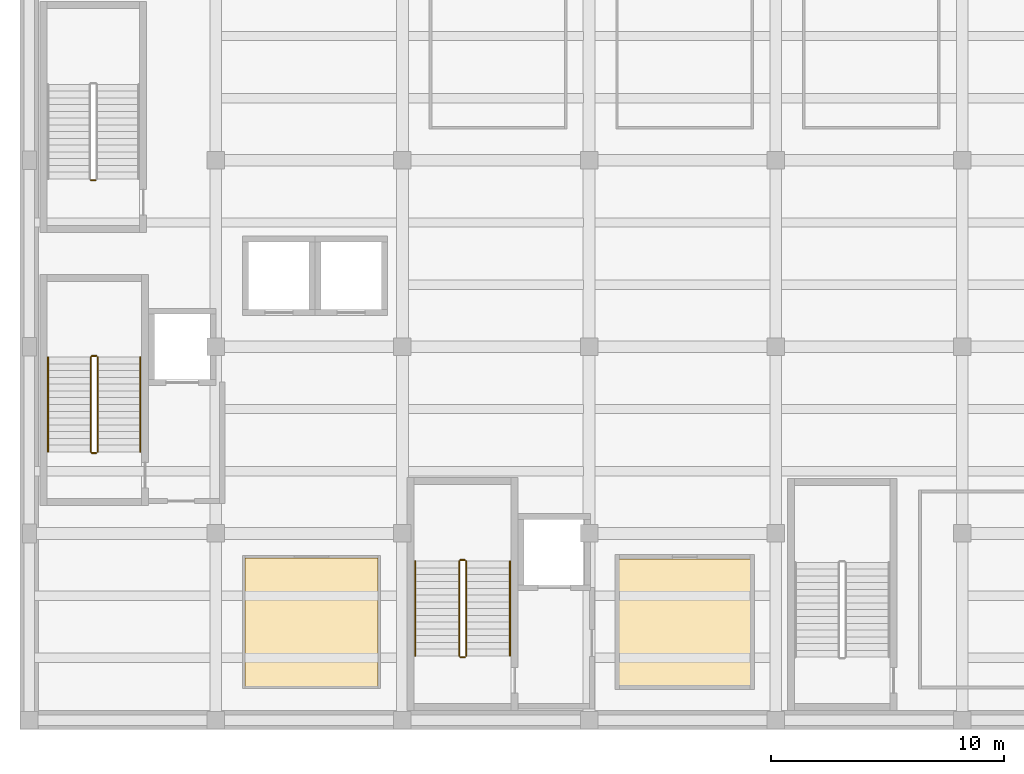
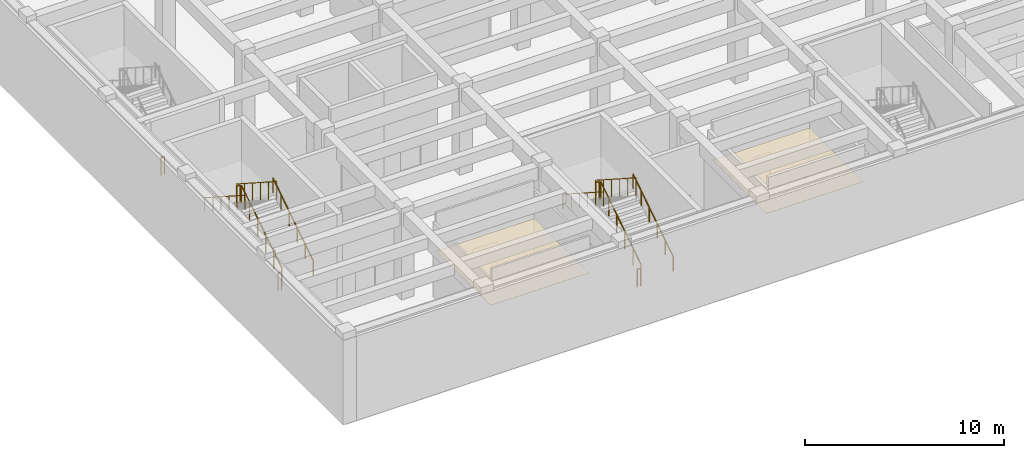
# One storey, part 12 of 19: 13 railings, 2 coverings.
"""IFC4 building model written with IfcOpenShell, lengths in metres."""

from ifc_helpers import new_model, si_unit, direction, frame, origin, origin_2d, place, context, subcontext, project, spatial, polyline, circle, outline, extrude, material, layer, layer_set, type_object, element, save


model = new_model("IFC4")

# Units and contexts
model_context = context("Model", 3, precision=1e-05, world=origin(), true_north=direction((0.0, 1.0)))
body_context = subcontext(model_context, "Body", "Model", "MODEL_VIEW")
ifc_project = project(units=[si_unit("LENGTHUNIT", "METRE"), si_unit("AREAUNIT", "SQUARE_METRE"), si_unit("VOLUMEUNIT", "CUBIC_METRE"), si_unit("PLANEANGLEUNIT", "RADIAN"), si_unit("MASSUNIT", "GRAM", prefix="KILO")], contexts=[model_context])

# Site, building, storey
site_placement = place(None, origin())
site = spatial("IfcSite", under=ifc_project, at=site_placement, CompositionType="ELEMENT")
building_placement = place(site_placement, origin())
building = spatial("IfcBuilding", under=site, at=building_placement, Name="Drelvath Fold Interchange", CompositionType="ELEMENT")
storey_placement = place(building_placement, frame((0.0, 0.0, -5.60009765625)))
storey = spatial("IfcBuildingStorey", under=building, at=storey_placement, Name="B1", CompositionType="ELEMENT", Elevation=-5.60009765625)

# Coverings
ifc_material_1 = material(Name="Perforated Aluminium Acoustic Ceiling", Category="aluminium")
ifc_layer = layer(ifc_material_1, 0.01806640625, Name="Perforated Aluminium Acoustic Ceiling")
ifc_layer_set = layer_set([ifc_layer], Name="Perforated Aluminium Acoustic Ceiling")
covering_type = type_object("IfcCoveringType", Name="CV-CEIL-AL18", PredefinedType="CEILING", material=ifc_layer_set)
covering_1_placement = place(storey_placement, frame((0.0, 0.0, 2.830078125)))
element("IfcCovering", 1, at=covering_1_placement, inside=storey, type_object=covering_type, Name="Subway Ticket Office and Fare Desk acoustic ceiling", PredefinedType="CEILING", context=body_context, shape_type="SweptSolid", body=[
    extrude(outline(polyline([(13.2470703125, 4.447998046875), (18.952880859375, 4.447998046875), (18.952880859375, 9.952880859375), (13.2470703125, 9.952880859375), (13.2470703125, 4.447998046875)])), origin(), (0.0, 0.0, 1.0), 0.02001953125),
])
covering_2_placement = place(storey_placement, frame((0.0, 0.0, 2.830078125)))
element("IfcCovering", 2, at=covering_2_placement, inside=storey, type_object=covering_type, Name="Left Luggage and Lost Property Vault acoustic ceiling", PredefinedType="CEILING", context=body_context, shape_type="SweptSolid", body=[
    extrude(outline(polyline([(29.287109375, 4.488037109375), (34.9130859375, 4.488037109375), (34.9130859375, 9.912109375), (29.287109375, 9.912109375), (29.287109375, 4.488037109375)])), origin(), (0.0, 0.0, 1.0), 0.02001953125),
])

# Railings
ifc_material_2 = material(Name="Stainless Steel 316L", Category="steel")
railing_type_1 = type_object("IfcRailingType", Name="RL-GRD1100", PredefinedType="GUARDRAIL", material=ifc_material_2)
railing_1_placement = place(storey_placement, frame((6.929931640625, 14.5, 0.186767578125)))
element("IfcRailing", 3, at=railing_1_placement, inside=storey, type_object=railing_type_1, Name="B1 ST-01 stair guard 1", PredefinedType="GUARDRAIL", context=body_context, shape_type="SweptSolid", body=[
    extrude(circle(Radius=0.02392578125, at=origin_2d()), frame((0.0, 0.0, 1.076171875), z_axis=(0.0, 0.840872768958, 0.541232839382), x_axis=(-1.0, 0.0, 0.0)), (0.0, 0.0, 1.0), 4.828369140625),
    extrude(circle(Radius=0.02099609375, at=origin_2d()), origin(), (0.0, 0.0, 1.0), 1.052001953125),
    extrude(circle(Radius=0.02099609375, at=origin_2d()), frame((0.0, 0.81201171875, 0.522705078125)), (0.0, 0.0, 1.0), 1.052001953125),
    extrude(circle(Radius=0.02099609375, at=origin_2d()), frame((0.0, 1.6240234375, 1.04541015625)), (0.0, 0.0, 1.0), 1.052001953125),
    extrude(circle(Radius=0.02099609375, at=origin_2d()), frame((0.0, 2.43603515625, 1.56787109375)), (0.0, 0.0, 1.0), 1.052001953125),
    extrude(circle(Radius=0.02099609375, at=origin_2d()), frame((0.0, 3.248046875, 2.090576171875)), (0.0, 0.0, 1.0), 1.052001953125),
    extrude(circle(Radius=0.02099609375, at=origin_2d()), frame((0.0, 4.06005859375, 2.61328125)), (0.0, 0.0, 1.0), 1.052001953125),
])
railing_2_placement = place(storey_placement, frame((6.8798828125, 18.610107421875, 2.800048828125)))
element("IfcRailing", 4, at=railing_2_placement, inside=storey, type_object=railing_type_1, Name="B1 ST-01 stair guard 2", PredefinedType="GUARDRAIL", context=body_context, shape_type="SweptSolid", body=[
    extrude(circle(Radius=0.02392578125, at=origin_2d()), frame((0.0, 0.0, 1.076171875), z_axis=(-1.0, 0.0, 0.0), x_axis=(0.0, -1.0, 0.0)), (0.0, 0.0, 1.0), 0.199951171875),
    extrude(circle(Radius=0.02099609375, at=origin_2d()), origin(), (0.0, 0.0, 1.0), 1.052001953125),
    extrude(circle(Radius=0.02099609375, at=origin_2d()), frame((-0.199951171875, 0.0, 0.0)), (0.0, 0.0, 1.0), 1.052001953125),
])
railing_3_placement = place(storey_placement, frame((6.6298828125, 18.56005859375, 2.98681640625)))
element("IfcRailing", 5, at=railing_3_placement, inside=storey, type_object=railing_type_1, Name="B1 ST-01 stair guard 3", PredefinedType="GUARDRAIL", context=body_context, shape_type="SweptSolid", body=[
    extrude(circle(Radius=0.02392578125, at=origin_2d()), frame((0.0, 0.0, 1.076171875), z_axis=(0.0, -0.840872768958, 0.541232839382), x_axis=(1.0, 0.0, 0.0)), (0.0, 0.0, 1.0), 4.828369140625),
    extrude(circle(Radius=0.02099609375, at=origin_2d()), origin(), (0.0, 0.0, 1.0), 1.052001953125),
    extrude(circle(Radius=0.02099609375, at=origin_2d()), frame((0.0, -0.81201171875, 0.522705078125)), (0.0, 0.0, 1.0), 1.052001953125),
    extrude(circle(Radius=0.02099609375, at=origin_2d()), frame((0.0, -1.6240234375, 1.04541015625)), (0.0, 0.0, 1.0), 1.052001953125),
    extrude(circle(Radius=0.02099609375, at=origin_2d()), frame((0.0, -2.43603515625, 1.56787109375)), (0.0, 0.0, 1.0), 1.052001953125),
    extrude(circle(Radius=0.02099609375, at=origin_2d()), frame((0.0, -3.248046875, 2.090576171875)), (0.0, 0.0, 1.0), 1.052001953125),
    extrude(circle(Radius=0.02099609375, at=origin_2d()), frame((0.0, -4.06005859375, 2.61328125)), (0.0, 0.0, 1.0), 1.052001953125),
])
railing_4_placement = place(storey_placement, frame((6.8798828125, 14.449951171875, 0.0)))
element("IfcRailing", 6, at=railing_4_placement, inside=storey, type_object=railing_type_1, Name="B1 ST-01 stair guard 4", PredefinedType="GUARDRAIL", context=body_context, shape_type="SweptSolid", body=[
    extrude(circle(Radius=0.02392578125, at=origin_2d()), frame((0.0, 0.0, 1.076171875), z_axis=(-1.0, 0.0, 0.0), x_axis=(0.0, -1.0, 0.0)), (0.0, 0.0, 1.0), 0.199951171875),
    extrude(circle(Radius=0.02099609375, at=origin_2d()), origin(), (0.0, 0.0, 1.0), 1.052001953125),
    extrude(circle(Radius=0.02099609375, at=origin_2d()), frame((-0.199951171875, 0.0, 0.0)), (0.0, 0.0, 1.0), 1.052001953125),
])
railing_5_placement = place(storey_placement, frame((6.840087890625, 26.14990234375, 0.0)))
element("IfcRailing", 7, at=railing_5_placement, inside=storey, type_object=railing_type_1, Name="B1 ST-02 stair guard 4", PredefinedType="GUARDRAIL", context=body_context, shape_type="SweptSolid", body=[
    extrude(circle(Radius=0.02392578125, at=origin_2d()), frame((0.0, 0.0, 1.076171875), z_axis=(-1.0, 0.0, 0.0), x_axis=(0.0, -1.0, 0.0)), (0.0, 0.0, 1.0), 0.2001953125),
    extrude(circle(Radius=0.02099609375, at=origin_2d()), origin(), (0.0, 0.0, 1.0), 1.052001953125),
    extrude(circle(Radius=0.02099609375, at=origin_2d()), frame((-0.2001953125, 0.0, 0.0)), (0.0, 0.0, 1.0), 1.052001953125),
])
railing_6_placement = place(storey_placement, frame((22.72998046875, 5.75, 0.186767578125)))
element("IfcRailing", 8, at=railing_6_placement, inside=storey, type_object=railing_type_1, Name="B1 ST-03 stair guard 1", PredefinedType="GUARDRAIL", context=body_context, shape_type="SweptSolid", body=[
    extrude(circle(Radius=0.02392578125, at=origin_2d()), frame((0.0, 0.0, 1.076171875), z_axis=(0.0, 0.840872768958, 0.541232839382), x_axis=(-1.0, 0.0, 0.0)), (0.0, 0.0, 1.0), 4.828369140625),
    extrude(circle(Radius=0.02099609375, at=origin_2d()), origin(), (0.0, 0.0, 1.0), 1.052001953125),
    extrude(circle(Radius=0.02099609375, at=origin_2d()), frame((0.0, 0.81201171875, 0.522705078125)), (0.0, 0.0, 1.0), 1.052001953125),
    extrude(circle(Radius=0.02099609375, at=origin_2d()), frame((0.0, 1.6240234375, 1.04541015625)), (0.0, 0.0, 1.0), 1.052001953125),
    extrude(circle(Radius=0.02099609375, at=origin_2d()), frame((0.0, 2.43603515625, 1.56787109375)), (0.0, 0.0, 1.0), 1.052001953125),
    extrude(circle(Radius=0.02099609375, at=origin_2d()), frame((0.0, 3.248046875, 2.090576171875)), (0.0, 0.0, 1.0), 1.052001953125),
    extrude(circle(Radius=0.02099609375, at=origin_2d()), frame((0.0, 4.06005859375, 2.61328125)), (0.0, 0.0, 1.0), 1.052001953125),
])
railing_7_placement = place(storey_placement, frame((22.679931640625, 9.860107421875, 2.800048828125)))
element("IfcRailing", 9, at=railing_7_placement, inside=storey, type_object=railing_type_1, Name="B1 ST-03 stair guard 2", PredefinedType="GUARDRAIL", context=body_context, shape_type="SweptSolid", body=[
    extrude(circle(Radius=0.02392578125, at=origin_2d()), frame((0.0, 0.0, 1.076171875), z_axis=(-1.0, 0.0, 0.0), x_axis=(0.0, -1.0, 0.0)), (0.0, 0.0, 1.0), 0.199951171875),
    extrude(circle(Radius=0.02099609375, at=origin_2d()), origin(), (0.0, 0.0, 1.0), 1.052001953125),
    extrude(circle(Radius=0.02099609375, at=origin_2d()), frame((-0.199951171875, 0.0, 0.0)), (0.0, 0.0, 1.0), 1.052001953125),
])
railing_8_placement = place(storey_placement, frame((22.429931640625, 9.81005859375, 2.98681640625)))
element("IfcRailing", 10, at=railing_8_placement, inside=storey, type_object=railing_type_1, Name="B1 ST-03 stair guard 3", PredefinedType="GUARDRAIL", context=body_context, shape_type="SweptSolid", body=[
    extrude(circle(Radius=0.02392578125, at=origin_2d()), frame((0.0, 0.0, 1.076171875), z_axis=(0.0, -0.840872768958, 0.541232839382), x_axis=(1.0, 0.0, 0.0)), (0.0, 0.0, 1.0), 4.828369140625),
    extrude(circle(Radius=0.02099609375, at=origin_2d()), origin(), (0.0, 0.0, 1.0), 1.052001953125),
    extrude(circle(Radius=0.02099609375, at=origin_2d()), frame((0.0, -0.81201171875, 0.522705078125)), (0.0, 0.0, 1.0), 1.052001953125),
    extrude(circle(Radius=0.02099609375, at=origin_2d()), frame((0.0, -1.6240234375, 1.04541015625)), (0.0, 0.0, 1.0), 1.052001953125),
    extrude(circle(Radius=0.02099609375, at=origin_2d()), frame((0.0, -2.43603515625, 1.56787109375)), (0.0, 0.0, 1.0), 1.052001953125),
    extrude(circle(Radius=0.02099609375, at=origin_2d()), frame((0.0, -3.248046875, 2.090576171875)), (0.0, 0.0, 1.0), 1.052001953125),
    extrude(circle(Radius=0.02099609375, at=origin_2d()), frame((0.0, -4.06005859375, 2.61328125)), (0.0, 0.0, 1.0), 1.052001953125),
])
railing_9_placement = place(storey_placement, frame((22.679931640625, 5.699951171875, 0.0)))
element("IfcRailing", 11, at=railing_9_placement, inside=storey, type_object=railing_type_1, Name="B1 ST-03 stair guard 4", PredefinedType="GUARDRAIL", context=body_context, shape_type="SweptSolid", body=[
    extrude(circle(Radius=0.02392578125, at=origin_2d()), frame((0.0, 0.0, 1.076171875), z_axis=(-1.0, 0.0, 0.0), x_axis=(0.0, -1.0, 0.0)), (0.0, 0.0, 1.0), 0.199951171875),
    extrude(circle(Radius=0.02099609375, at=origin_2d()), origin(), (0.0, 0.0, 1.0), 1.052001953125),
    extrude(circle(Radius=0.02099609375, at=origin_2d()), frame((-0.199951171875, 0.0, 0.0)), (0.0, 0.0, 1.0), 1.052001953125),
])
railing_type_2 = type_object("IfcRailingType", Name="RL-HND920", PredefinedType="HANDRAIL", material=ifc_material_2)
railing_10_placement = place(storey_placement, frame((8.760009765625, 14.5, 0.186767578125)))
element("IfcRailing", 12, at=railing_10_placement, inside=storey, type_object=railing_type_2, Name="B1 ST-01 stair handrail 1", PredefinedType="HANDRAIL", context=body_context, shape_type="SweptSolid", body=[
    extrude(circle(Radius=0.02392578125, at=origin_2d()), frame((0.0, 0.0, 0.8759765625), z_axis=(0.0, 0.840872768958, 0.541232839382), x_axis=(-1.0, 0.0, 0.0)), (0.0, 0.0, 1.0), 4.828369140625),
    extrude(circle(Radius=0.02099609375, at=origin_2d()), origin(), (0.0, 0.0, 1.0), 0.851806640625),
    extrude(circle(Radius=0.02099609375, at=origin_2d()), frame((0.0, 0.81201171875, 0.522705078125)), (0.0, 0.0, 1.0), 0.851806640625),
    extrude(circle(Radius=0.02099609375, at=origin_2d()), frame((0.0, 1.6240234375, 1.04541015625)), (0.0, 0.0, 1.0), 0.851806640625),
    extrude(circle(Radius=0.02099609375, at=origin_2d()), frame((0.0, 2.43603515625, 1.56787109375)), (0.0, 0.0, 1.0), 0.851806640625),
    extrude(circle(Radius=0.02099609375, at=origin_2d()), frame((0.0, 3.248046875, 2.090576171875)), (0.0, 0.0, 1.0), 0.851806640625),
    extrude(circle(Radius=0.02099609375, at=origin_2d()), frame((0.0, 4.06005859375, 2.61328125)), (0.0, 0.0, 1.0), 0.851806640625),
])
railing_11_placement = place(storey_placement, frame((4.800048828125, 18.56005859375, 2.98681640625)))
element("IfcRailing", 13, at=railing_11_placement, inside=storey, type_object=railing_type_2, Name="B1 ST-01 stair handrail 2", PredefinedType="HANDRAIL", context=body_context, shape_type="SweptSolid", body=[
    extrude(circle(Radius=0.02392578125, at=origin_2d()), frame((0.0, 0.0, 0.8759765625), z_axis=(0.0, -0.840872768958, 0.541232839382), x_axis=(1.0, 0.0, 0.0)), (0.0, 0.0, 1.0), 4.828369140625),
    extrude(circle(Radius=0.02099609375, at=origin_2d()), origin(), (0.0, 0.0, 1.0), 0.851806640625),
    extrude(circle(Radius=0.02099609375, at=origin_2d()), frame((0.0, -0.81201171875, 0.522705078125)), (0.0, 0.0, 1.0), 0.851806640625),
    extrude(circle(Radius=0.02099609375, at=origin_2d()), frame((0.0, -1.6240234375, 1.04541015625)), (0.0, 0.0, 1.0), 0.851806640625),
    extrude(circle(Radius=0.02099609375, at=origin_2d()), frame((0.0, -2.43603515625, 1.56787109375)), (0.0, 0.0, 1.0), 0.851806640625),
    extrude(circle(Radius=0.02099609375, at=origin_2d()), frame((0.0, -3.248046875, 2.090576171875)), (0.0, 0.0, 1.0), 0.851806640625),
    extrude(circle(Radius=0.02099609375, at=origin_2d()), frame((0.0, -4.06005859375, 2.61328125)), (0.0, 0.0, 1.0), 0.851806640625),
])
railing_12_placement = place(storey_placement, frame((24.610107421875, 5.75, 0.186767578125)))
element("IfcRailing", 14, at=railing_12_placement, inside=storey, type_object=railing_type_2, Name="B1 ST-03 stair handrail 1", PredefinedType="HANDRAIL", context=body_context, shape_type="SweptSolid", body=[
    extrude(circle(Radius=0.02392578125, at=origin_2d()), frame((0.0, 0.0, 0.8759765625), z_axis=(0.0, 0.840872768958, 0.541232839382), x_axis=(-1.0, 0.0, 0.0)), (0.0, 0.0, 1.0), 4.828369140625),
    extrude(circle(Radius=0.02099609375, at=origin_2d()), origin(), (0.0, 0.0, 1.0), 0.851806640625),
    extrude(circle(Radius=0.02099609375, at=origin_2d()), frame((0.0, 0.81201171875, 0.522705078125)), (0.0, 0.0, 1.0), 0.851806640625),
    extrude(circle(Radius=0.02099609375, at=origin_2d()), frame((0.0, 1.6240234375, 1.04541015625)), (0.0, 0.0, 1.0), 0.851806640625),
    extrude(circle(Radius=0.02099609375, at=origin_2d()), frame((0.0, 2.43603515625, 1.56787109375)), (0.0, 0.0, 1.0), 0.851806640625),
    extrude(circle(Radius=0.02099609375, at=origin_2d()), frame((0.0, 3.248046875, 2.090576171875)), (0.0, 0.0, 1.0), 0.851806640625),
    extrude(circle(Radius=0.02099609375, at=origin_2d()), frame((0.0, 4.06005859375, 2.61328125)), (0.0, 0.0, 1.0), 0.851806640625),
])
railing_13_placement = place(storey_placement, frame((20.550048828125, 9.81005859375, 2.98681640625)))
element("IfcRailing", 15, at=railing_13_placement, inside=storey, type_object=railing_type_2, Name="B1 ST-03 stair handrail 2", PredefinedType="HANDRAIL", context=body_context, shape_type="SweptSolid", body=[
    extrude(circle(Radius=0.02392578125, at=origin_2d()), frame((0.0, 0.0, 0.8759765625), z_axis=(0.0, -0.840872768958, 0.541232839382), x_axis=(1.0, 0.0, 0.0)), (0.0, 0.0, 1.0), 4.828369140625),
    extrude(circle(Radius=0.02099609375, at=origin_2d()), origin(), (0.0, 0.0, 1.0), 0.851806640625),
    extrude(circle(Radius=0.02099609375, at=origin_2d()), frame((0.0, -0.81201171875, 0.522705078125)), (0.0, 0.0, 1.0), 0.851806640625),
    extrude(circle(Radius=0.02099609375, at=origin_2d()), frame((0.0, -1.6240234375, 1.04541015625)), (0.0, 0.0, 1.0), 0.851806640625),
    extrude(circle(Radius=0.02099609375, at=origin_2d()), frame((0.0, -2.43603515625, 1.56787109375)), (0.0, 0.0, 1.0), 0.851806640625),
    extrude(circle(Radius=0.02099609375, at=origin_2d()), frame((0.0, -3.248046875, 2.090576171875)), (0.0, 0.0, 1.0), 0.851806640625),
    extrude(circle(Radius=0.02099609375, at=origin_2d()), frame((0.0, -4.06005859375, 2.61328125)), (0.0, 0.0, 1.0), 0.851806640625),
])

save(model, "model.ifc")
